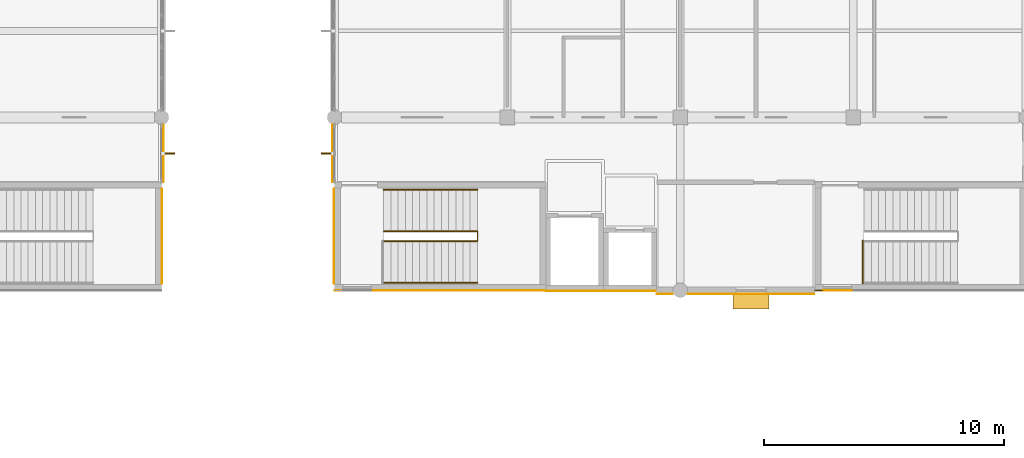
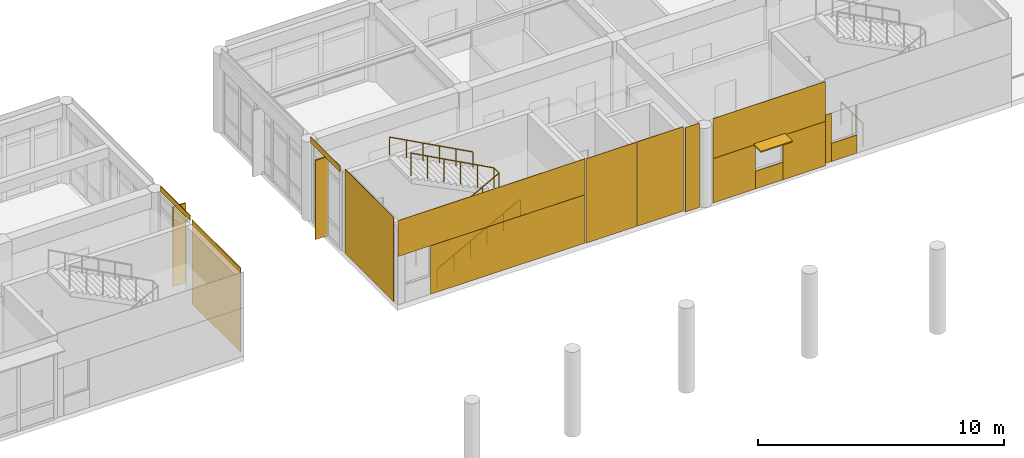
# One storey, part 38 of 41: 15 coverings, 4 railings, 3 shading devices.
"""IFC4 building model written with IfcOpenShell, lengths in metres."""

from ifc_helpers import new_model, si_unit, direction, frame, origin, origin_2d, place, context, subcontext, project, spatial, rectangle, circle, extrude, material, layer, layer_set, type_object, element, save


model = new_model("IFC4")

# Units and contexts
model_context = context("Model", 3, precision=1e-05, world=origin(), true_north=direction((0.0, 1.0)))
body_context = subcontext(model_context, "Body", "Model", "MODEL_VIEW")
ifc_project = project(units=[si_unit("LENGTHUNIT", "METRE"), si_unit("AREAUNIT", "SQUARE_METRE"), si_unit("VOLUMEUNIT", "CUBIC_METRE"), si_unit("PLANEANGLEUNIT", "RADIAN"), si_unit("MASSUNIT", "GRAM", prefix="KILO")], contexts=[model_context])

# Site, building, storey
site_placement = place(None, origin())
site = spatial("IfcSite", under=ifc_project, at=site_placement, CompositionType="ELEMENT")
building_placement = place(site_placement, origin())
building = spatial("IfcBuilding", under=site, at=building_placement, Name="Namkhue Oval Health Centre", CompositionType="ELEMENT")
storey_placement = place(building_placement, frame((0.0, 0.0, 13.800048828125)))
storey = spatial("IfcBuildingStorey", under=building, at=storey_placement, Name="L03", CompositionType="ELEMENT", Elevation=13.800048828125)

# Railings
ifc_material_1 = material(Name="Brushed stainless steel 316L balustrade with laminated glass infill", Category="steel")
railing_type_1 = type_object("IfcRailingType", Name="INTERIOR BALUSTRADE GUARD 1150", PredefinedType="BALUSTRADE", material=ifc_material_1)
railing_1_placement = place(storey_placement, frame((95.64990234375, 92.0400390625, 0.0)))
element("IfcRailing", 1, at=railing_1_placement, inside=storey, type_object=railing_type_1, Name="Stair ST-05 L03 Inner Well Guard", PredefinedType="BALUSTRADE", context=body_context, shape_type="SweptSolid", body=[
    extrude(circle(Radius=0.02392578125, at=origin_2d()), frame((0.0, 0.0, 1.1259765625), z_axis=(0.88049233674, 0.0, 0.474060381114), x_axis=(0.0, 1.0, 0.0)), (0.0, 0.0, 1.0), 4.429443359375),
    extrude(circle(Radius=0.02392578125, at=origin_2d()), frame((3.900146484375, 0.0, 3.2255859375), z_axis=(0.0, 1.0, 0.0), x_axis=(-1.0, 0.0, 0.0)), (0.0, 0.0, 1.0), 0.419921875),
    extrude(circle(Radius=0.02392578125, at=origin_2d()), frame((3.900146484375, 0.419921875, 3.2255859375), z_axis=(-0.880469330154, 0.0, 0.474103109733), x_axis=(0.0, -1.0, 0.0)), (0.0, 0.0, 1.0), 4.4296875),
    extrude(circle(Radius=0.02099609375, at=origin_2d()), origin(), (0.0, 0.0, 1.0), 1.101806640625),
    extrude(circle(Radius=0.02099609375, at=origin_2d()), frame((0.780029296875, 0.0, 0.419921875)), (0.0, 0.0, 1.0), 1.101806640625),
    extrude(circle(Radius=0.02099609375, at=origin_2d()), frame((1.56005859375, 0.0, 0.83984375)), (0.0, 0.0, 1.0), 1.101806640625),
    extrude(circle(Radius=0.02099609375, at=origin_2d()), frame((2.340087890625, 0.0, 1.260009765625)), (0.0, 0.0, 1.0), 1.101806640625),
    extrude(circle(Radius=0.02099609375, at=origin_2d()), frame((3.1201171875, 0.0, 1.679931640625)), (0.0, 0.0, 1.0), 1.101806640625),
    extrude(circle(Radius=0.02099609375, at=origin_2d()), frame((3.900146484375, 0.0, 2.099853515625)), (0.0, 0.0, 1.0), 1.101806640625),
    extrude(circle(Radius=0.02099609375, at=origin_2d()), frame((3.900146484375, 0.419921875, 2.099853515625)), (0.0, 0.0, 1.0), 1.101806640625),
    extrude(circle(Radius=0.02099609375, at=origin_2d()), frame((3.1201171875, 0.419921875, 2.519775390625)), (0.0, 0.0, 1.0), 1.101806640625),
    extrude(circle(Radius=0.02099609375, at=origin_2d()), frame((2.340087890625, 0.419921875, 2.93994140625)), (0.0, 0.0, 1.0), 1.101806640625),
    extrude(circle(Radius=0.02099609375, at=origin_2d()), frame((1.56005859375, 0.419921875, 3.35986328125)), (0.0, 0.0, 1.0), 1.101806640625),
    extrude(circle(Radius=0.02099609375, at=origin_2d()), frame((0.780029296875, 0.419921875, 3.780029296875)), (0.0, 0.0, 1.0), 1.101806640625),
    extrude(circle(Radius=0.02099609375, at=origin_2d()), frame((0.0, 0.419921875, 4.199951171875)), (0.0, 0.0, 1.0), 1.101806640625),
])
railing_2_placement = place(storey_placement, frame((115.60009765625, 90.2900390625, 0.0)))
element("IfcRailing", 2, at=railing_2_placement, inside=storey, type_object=railing_type_1, Name="Stair ST-06 L03 Landing Well Edge Guard", PredefinedType="BALUSTRADE", context=body_context, shape_type="SweptSolid", body=[
    extrude(circle(Radius=0.02392578125, at=origin_2d()), frame((0.0, 0.0, 1.1259765625), z_axis=(0.0, 1.0, 0.0), x_axis=(-1.0, 0.0, 0.0)), (0.0, 0.0, 1.0), 1.77001953125),
    extrude(circle(Radius=0.02099609375, at=origin_2d()), origin(), (0.0, 0.0, 1.0), 1.101806640625),
    extrude(circle(Radius=0.02099609375, at=origin_2d()), frame((0.0, 0.885009765625, 0.0)), (0.0, 0.0, 1.0), 1.101806640625),
    extrude(circle(Radius=0.02099609375, at=origin_2d()), frame((0.0, 1.77001953125, 0.0)), (0.0, 0.0, 1.0), 1.101806640625),
])
ifc_material_2 = material(Name="Brushed stainless steel 304 tubular handrail", Category="steel")
railing_type_2 = type_object("IfcRailingType", Name="INTERIOR STAIR HANDRAIL 900", PredefinedType="HANDRAIL", material=ifc_material_2)
railing_3_placement = place(storey_placement, frame((95.64990234375, 90.320068359375, 0.0)))
element("IfcRailing", 3, at=railing_3_placement, inside=storey, type_object=railing_type_2, Name="Stair ST-05 L03 Flight 1 Handrail", PredefinedType="HANDRAIL", context=body_context, shape_type="SweptSolid", body=[
    extrude(circle(Radius=0.02392578125, at=origin_2d()), frame((0.0, 0.0, 0.8759765625), z_axis=(0.88049233674, 0.0, 0.474060381114), x_axis=(0.0, 1.0, 0.0)), (0.0, 0.0, 1.0), 4.429443359375),
    extrude(circle(Radius=0.02099609375, at=origin_2d()), origin(), (0.0, 0.0, 1.0), 0.851806640625),
    extrude(circle(Radius=0.02099609375, at=origin_2d()), frame((0.780029296875, 0.0, 0.419921875)), (0.0, 0.0, 1.0), 0.851806640625),
    extrude(circle(Radius=0.02099609375, at=origin_2d()), frame((1.56005859375, 0.0, 0.83984375)), (0.0, 0.0, 1.0), 0.851806640625),
    extrude(circle(Radius=0.02099609375, at=origin_2d()), frame((2.340087890625, 0.0, 1.260009765625)), (0.0, 0.0, 1.0), 0.851806640625),
    extrude(circle(Radius=0.02099609375, at=origin_2d()), frame((3.1201171875, 0.0, 1.679931640625)), (0.0, 0.0, 1.0), 0.851806640625),
    extrude(circle(Radius=0.02099609375, at=origin_2d()), frame((3.900146484375, 0.0, 2.099853515625)), (0.0, 0.0, 1.0), 0.851806640625),
])
railing_4_placement = place(storey_placement, frame((99.550048828125, 94.179931640625, 2.099853515625)))
element("IfcRailing", 4, at=railing_4_placement, inside=storey, type_object=railing_type_2, Name="Stair ST-05 L03 Flight 2 Handrail", PredefinedType="HANDRAIL", context=body_context, shape_type="SweptSolid", body=[
    extrude(circle(Radius=0.02392578125, at=origin_2d()), frame((0.0, 0.0, 0.8759765625), z_axis=(-0.880469330154, 0.0, 0.474103109733), x_axis=(0.0, -1.0, 0.0)), (0.0, 0.0, 1.0), 4.4296875),
    extrude(circle(Radius=0.02099609375, at=origin_2d()), origin(), (0.0, 0.0, 1.0), 0.851806640625),
    extrude(circle(Radius=0.02099609375, at=origin_2d()), frame((-0.780029296875, 0.0, 0.419921875)), (0.0, 0.0, 1.0), 0.851806640625),
    extrude(circle(Radius=0.02099609375, at=origin_2d()), frame((-1.56005859375, 0.0, 0.840087890625)), (0.0, 0.0, 1.0), 0.851806640625),
    extrude(circle(Radius=0.02099609375, at=origin_2d()), frame((-2.340087890625, 0.0, 1.260009765625)), (0.0, 0.0, 1.0), 0.851806640625),
    extrude(circle(Radius=0.02099609375, at=origin_2d()), frame((-3.1201171875, 0.0, 1.68017578125)), (0.0, 0.0, 1.0), 0.851806640625),
    extrude(circle(Radius=0.02099609375, at=origin_2d()), frame((-3.900146484375, 0.0, 2.10009765625)), (0.0, 0.0, 1.0), 0.851806640625),
])

# Shading devices
ifc_material_3 = material(Name="Anodised aluminium EN AW-6063 T6", Category="aluminium")
ifc_layer_1 = layer(ifc_material_3, 0.050048828125)
ifc_layer_set_1 = layer_set([ifc_layer_1], Name="Anodised aluminium EN AW-6063 T6")
shading_device_type_1 = type_object("IfcShadingDeviceType", Name="STORM SHUTTER LOUVRE 650", PredefinedType="SHUTTER", material=ifc_layer_set_1)
shading_device_1_placement = place(storey_placement, frame((110.946533203125, 89.544921875, 2.219970703125), z_axis=(0.0, 0.0, 1.0), x_axis=(1.0, 0.0, 0.0)))
element("IfcShadingDevice", 5, at=shading_device_1_placement, inside=storey, type_object=shading_device_type_1, Name="Volume V3 L03 Window Monsoon Louvre 155", PredefinedType="SHUTTER", context=body_context, shape_type="SweptSolid", body=[
    extrude(rectangle(XDim=1.489990234375, YDim=0.64990234375, at=origin_2d()), origin(), (0.0, 0.0, 1.0), 0.06005859375),
])
shading_device_type_2 = type_object("IfcShadingDeviceType", Name="VERTICAL SOLAR FIN 600", PredefinedType="USERDEFINED", material=ifc_material_3)
shading_device_2_placement = place(storey_placement, frame((86.659912109375, 95.70361328125, 0.0), z_axis=(0.0, 0.0, 1.0), x_axis=(1.0, 0.0, 0.0)))
element("IfcShadingDevice", 6, at=shading_device_2_placement, inside=storey, type_object=shading_device_type_2, Name="Volume V2 L03 Extruded Aluminium Solar Fin 91", ObjectType="SOLAR FIN", PredefinedType="USERDEFINED", context=body_context, shape_type="SweptSolid", body=[
    extrude(rectangle(XDim=0.60009765625, YDim=0.06005859375, at=origin_2d()), origin(), (0.0, 0.0, 1.0), 3.945068359375),
])
shading_device_3_placement = place(storey_placement, frame((93.340087890625, 95.70361328125, 0.0), z_axis=(0.0, 0.0, 1.0), x_axis=(-1.0, 0.0, 0.0)))
element("IfcShadingDevice", 7, at=shading_device_3_placement, inside=storey, type_object=shading_device_type_2, Name="Volume V3 L03 Extruded Aluminium Solar Fin 162", ObjectType="SOLAR FIN", PredefinedType="USERDEFINED", context=body_context, shape_type="SweptSolid", body=[
    extrude(rectangle(XDim=0.60009765625, YDim=0.06005859375, at=origin_2d()), origin(), (0.0, 0.0, 1.0), 3.919921875),
])

# Coverings
ifc_material_4 = material(Name="White glass-fibre reinforced concrete GRC rainscreen cladding", Category="concrete")
ifc_layer_2 = layer(ifc_material_4, 0.02490234375)
ifc_layer_set_2 = layer_set([ifc_layer_2], Name="White glass-fibre reinforced concrete GRC rainscreen cladding")
covering_type = type_object("IfcCoveringType", Name="WHITE GRC RAINSCREEN CLADDING 25", PredefinedType="CLADDING", material=ifc_layer_set_2)
covering_1_placement = place(storey_placement, frame((86.488525390625, 95.70361328125, 3.929931640625), z_axis=(0.0, 0.0, 1.0), x_axis=(0.0, 1.0, 0.0)))
element("IfcCovering", 8, at=covering_1_placement, inside=storey, type_object=covering_type, Name="Volume V2 L03 Curtain Wall Spandrel Cladding 72", PredefinedType="CLADDING", context=body_context, shape_type="SweptSolid", body=[
    extrude(rectangle(XDim=2.39306640625, YDim=0.02490234375, at=origin_2d()), origin(), (0.0, 0.0, 1.0), 0.27001953125),
])
covering_2_placement = place(storey_placement, frame((107.353515625, 89.85302734375, 0.009765625), z_axis=(0.0, 0.0, 1.0), x_axis=(1.0, 0.0, 0.0)))
element("IfcCovering", 9, at=covering_2_placement, inside=storey, type_object=covering_type, Name="Volume V3 L03 Facade 74 White GRC Cladding 1", PredefinedType="CLADDING", context=body_context, shape_type="SweptSolid", body=[
    extrude(rectangle(XDim=0.6630859375, YDim=0.02490234375, at=origin_2d()), origin(), (0.0, 0.0, 1.0), 4.179931640625),
])
covering_3_placement = place(storey_placement, frame((110.946533203125, 89.847900390625, 2.21484375), z_axis=(0.0, 0.0, 1.0), x_axis=(1.0, 0.0, 0.0)))
element("IfcCovering", 10, at=covering_3_placement, inside=storey, type_object=covering_type, Name="Volume V3 L03 Facade 75 White GRC Cladding 1", PredefinedType="CLADDING", context=body_context, shape_type="SweptSolid", body=[
    extrude(rectangle(XDim=5.262939453125, YDim=0.02490234375, at=origin_2d()), origin(), (0.0, 0.0, 1.0), 1.97509765625),
])
covering_4_placement = place(storey_placement, frame((109.310791015625, 89.847900390625, 0.009765625), z_axis=(0.0, 0.0, 1.0), x_axis=(1.0, 0.0, 0.0)))
element("IfcCovering", 11, at=covering_4_placement, inside=storey, type_object=covering_type, Name="Volume V3 L03 Facade 75 White GRC Cladding 2", PredefinedType="CLADDING", context=body_context, shape_type="SweptSolid", body=[
    extrude(rectangle(XDim=1.991455078125, YDim=0.02490234375, at=origin_2d()), origin(), (0.0, 0.0, 1.0), 2.199951171875),
])
covering_5_placement = place(storey_placement, frame((110.946533203125, 89.847900390625, 0.010009765625), z_axis=(0.0, 0.0, 1.0), x_axis=(1.0, 0.0, 0.0)))
element("IfcCovering", 12, at=covering_5_placement, inside=storey, type_object=covering_type, Name="Volume V3 L03 Facade 75 White GRC Cladding 3", PredefinedType="CLADDING", context=body_context, shape_type="SweptSolid", body=[
    extrude(rectangle(XDim=1.27001953125, YDim=0.02490234375, at=origin_2d()), origin(), (0.0, 0.0, 1.0), 0.875),
])
covering_6_placement = place(storey_placement, frame((112.582275390625, 89.847900390625, 0.009765625), z_axis=(0.0, 0.0, 1.0), x_axis=(1.0, 0.0, 0.0)))
element("IfcCovering", 13, at=covering_6_placement, inside=storey, type_object=covering_type, Name="Volume V3 L03 Facade 75 White GRC Cladding 4", PredefinedType="CLADDING", context=body_context, shape_type="SweptSolid", body=[
    extrude(rectangle(XDim=1.991455078125, YDim=0.02490234375, at=origin_2d()), origin(), (0.0, 0.0, 1.0), 2.199951171875),
])
covering_7_placement = place(storey_placement, frame((93.511474609375, 95.70361328125, 3.905029296875), z_axis=(0.0, 0.0, 1.0), x_axis=(0.0, -1.0, 0.0)))
element("IfcCovering", 14, at=covering_7_placement, inside=storey, type_object=covering_type, Name="Volume V3 L03 Curtain Wall Spandrel Cladding 122", PredefinedType="CLADDING", context=body_context, shape_type="SweptSolid", body=[
    extrude(rectangle(XDim=2.39306640625, YDim=0.02490234375, at=origin_2d()), origin(), (0.0, 0.0, 1.0), 0.294921875),
])
covering_8_placement = place(storey_placement, frame((86.412109375, 92.25, 0.009765625), z_axis=(0.0, 0.0, 1.0), x_axis=(0.0, 1.0, 0.0)))
element("IfcCovering", 15, at=covering_8_placement, inside=storey, type_object=covering_type, Name="Core SC-04 L03 Core E White GRC Cladding 1", PredefinedType="CLADDING", context=body_context, shape_type="SweptSolid", body=[
    extrude(rectangle(XDim=3.9599609375, YDim=0.02490234375, at=origin_2d()), origin(), (0.0, 0.0, 1.0), 4.179931640625),
])
covering_9_placement = place(storey_placement, frame((98.0, 89.988037109375, 2.4150390625), z_axis=(0.0, 0.0, 1.0), x_axis=(1.0, 0.0, 0.0)))
element("IfcCovering", 16, at=covering_9_placement, inside=storey, type_object=covering_type, Name="Core SC-05 L03 Core S White GRC Cladding 1", PredefinedType="CLADDING", context=body_context, shape_type="SweptSolid", body=[
    extrude(rectangle(XDim=8.760009765625, YDim=0.02490234375, at=origin_2d()), origin(), (0.0, 0.0, 1.0), 1.77490234375),
])
covering_10_placement = place(storey_placement, frame((98.762451171875, 89.988037109375, 0.010009765625), z_axis=(0.0, 0.0, 1.0), x_axis=(1.0, 0.0, 0.0)))
element("IfcCovering", 17, at=covering_10_placement, inside=storey, type_object=covering_type, Name="Core SC-05 L03 Core S White GRC Cladding 4", PredefinedType="CLADDING", context=body_context, shape_type="SweptSolid", body=[
    extrude(rectangle(XDim=7.235107421875, YDim=0.02490234375, at=origin_2d()), origin(), (0.0, 0.0, 1.0), 2.39990234375),
])
covering_11_placement = place(storey_placement, frame((93.587890625, 92.25, 0.009765625), z_axis=(0.0, 0.0, 1.0), x_axis=(0.0, -1.0, 0.0)))
element("IfcCovering", 18, at=covering_11_placement, inside=storey, type_object=covering_type, Name="Core SC-05 L03 Core W White GRC Cladding 1", PredefinedType="CLADDING", context=body_context, shape_type="SweptSolid", body=[
    extrude(rectangle(XDim=3.9599609375, YDim=0.02490234375, at=origin_2d()), origin(), (0.0, 0.0, 1.0), 4.179931640625),
])
covering_12_placement = place(storey_placement, frame((113.777587890625, 89.988037109375, 0.010009765625), z_axis=(0.0, 0.0, 1.0), x_axis=(1.0, 0.0, 0.0)))
element("IfcCovering", 19, at=covering_12_placement, inside=storey, type_object=covering_type, Name="Core SC-06 L03 Core S White GRC Cladding 2", PredefinedType="CLADDING", context=body_context, shape_type="SweptSolid", body=[
    extrude(rectangle(XDim=0.31494140625, YDim=0.02490234375, at=origin_2d()), origin(), (0.0, 0.0, 1.0), 2.39990234375),
])
covering_13_placement = place(storey_placement, frame((114.5400390625, 89.988037109375, 0.010009765625), z_axis=(0.0, 0.0, 1.0), x_axis=(1.0, 0.0, 0.0)))
element("IfcCovering", 20, at=covering_13_placement, inside=storey, type_object=covering_type, Name="Core SC-06 L03 Core S White GRC Cladding 3", PredefinedType="CLADDING", context=body_context, shape_type="SweptSolid", body=[
    extrude(rectangle(XDim=1.199951171875, YDim=0.02490234375, at=origin_2d()), origin(), (0.0, 0.0, 1.0), 0.89501953125),
])
covering_14_placement = place(storey_placement, frame((103.60009765625, 89.962890625, 0.009765625), z_axis=(0.0, 0.0, 1.0), x_axis=(1.0, 0.0, 0.0)))
element("IfcCovering", 21, at=covering_14_placement, inside=storey, type_object=covering_type, Name="Lift LF-03 L03 S White GRC Cladding 1", PredefinedType="CLADDING", context=body_context, shape_type="SweptSolid", body=[
    extrude(rectangle(XDim=2.360107421875, YDim=0.02490234375, at=origin_2d()), origin(), (0.0, 0.0, 1.0), 4.179931640625),
])
covering_15_placement = place(storey_placement, frame((105.89990234375, 89.962890625, 0.009765625), z_axis=(0.0, 0.0, 1.0), x_axis=(1.0, 0.0, 0.0)))
element("IfcCovering", 22, at=covering_15_placement, inside=storey, type_object=covering_type, Name="Lift LF-04 L03 S White GRC Cladding 1", PredefinedType="CLADDING", context=body_context, shape_type="SweptSolid", body=[
    extrude(rectangle(XDim=2.159912109375, YDim=0.02490234375, at=origin_2d()), origin(), (0.0, 0.0, 1.0), 4.179931640625),
])

save(model, "model.ifc")
